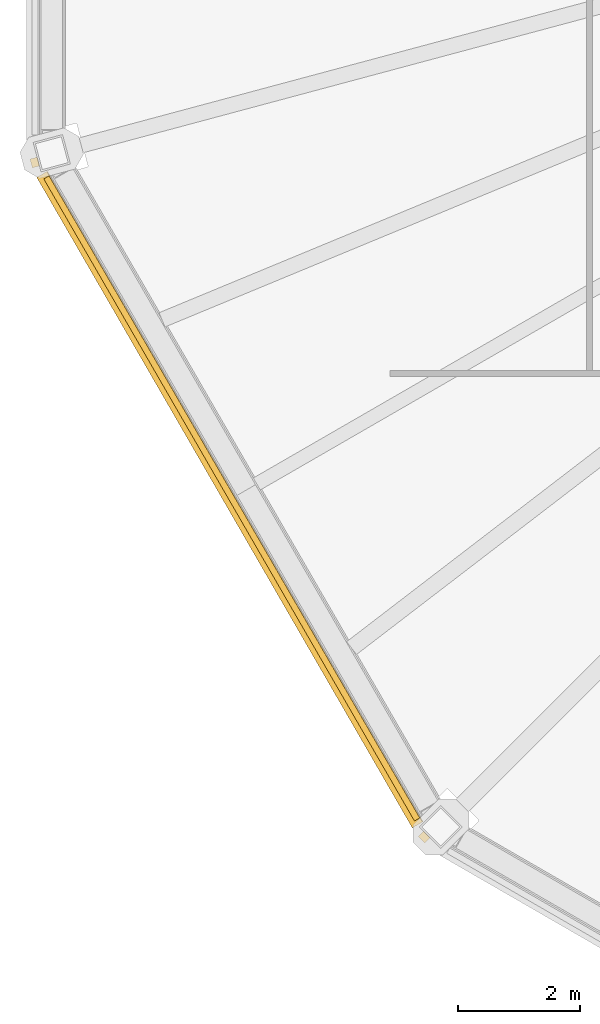
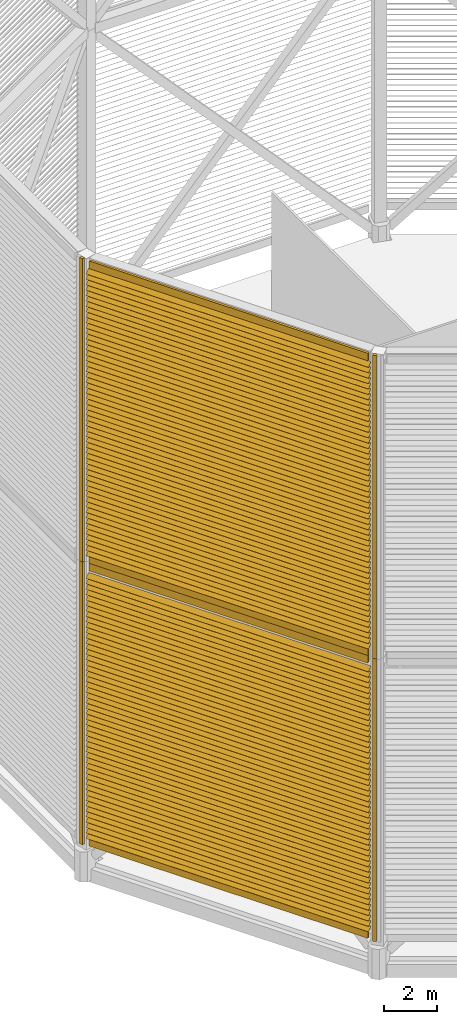
# One storey, part 8 of 18: 2 shading devices.
"""IFC4 building model written with IfcOpenShell, lengths in metres."""

from ifc_helpers import new_model, si_unit, direction, frame, origin, origin_2d, place, context, subcontext, project, spatial, rectangle, extrude, material, type_object, element, save


model = new_model("IFC4")

# Units and contexts
model_context = context("Model", 3, precision=1e-05, world=origin(), true_north=direction((0.0, 1.0)))
body_context = subcontext(model_context, "Body", "Model", "MODEL_VIEW")
ifc_project = project(units=[si_unit("LENGTHUNIT", "METRE"), si_unit("AREAUNIT", "SQUARE_METRE"), si_unit("VOLUMEUNIT", "CUBIC_METRE"), si_unit("PLANEANGLEUNIT", "RADIAN"), si_unit("MASSUNIT", "GRAM", prefix="KILO")], contexts=[model_context])

# Site, building, storey
site_placement = place(None, origin())
site = spatial("IfcSite", under=ifc_project, at=site_placement, CompositionType="ELEMENT")
building_placement = place(site_placement, origin())
building = spatial("IfcBuilding", under=site, at=building_placement, Name="Sahrelin Media Tower", CompositionType="ELEMENT")
storey_placement = place(building_placement, frame((0.0, 0.0, 335.800048828125)))
storey = spatial("IfcBuildingStorey", under=building, at=storey_placement, Name="Crown", CompositionType="ELEMENT", Elevation=335.800048828125)

# Shading devices
ifc_material = material(Name="Champagne anodised aluminium 6063-T6", Category="aluminium")
shading_device_type = type_object("IfcShadingDeviceType", Name="Crown louvre screen", PredefinedType="USERDEFINED", material=ifc_material)
shading_device_1_placement = place(storey_placement, frame((-23.830078125, -6.38525390625, 0.949951171875), z_axis=(0.0, 0.0, 1.0), x_axis=(-0.500011000363, 0.866019052629, 0.0)))
element("IfcShadingDevice", 1, at=shading_device_1_placement, inside=storey, type_object=shading_device_type, Name="Crown louvre screen CS-06A", ObjectType="LOUVRE", PredefinedType="USERDEFINED", context=body_context, shape_type="SweptSolid", body=[
    extrude(rectangle(XDim=0.10009765625, YDim=0.35009765625, at=origin_2d()), frame((-0.300048828125, 0.27490234375, 12.875), z_axis=(-1.0, 0.0, 0.0), x_axis=(0.0, -1.0, 0.0)), (0.0, 0.0, 1.0), 12.17041015625),
    extrude(rectangle(XDim=0.10009765625, YDim=0.35009765625, at=origin_2d()), frame((-0.300048828125, 0.27490234375, 0.175048828125), z_axis=(-1.0, 0.0, 0.0), x_axis=(0.0, -1.0, 0.0)), (0.0, 0.0, 1.0), 12.17041015625),
    extrude(rectangle(XDim=0.1201171875, YDim=0.14990234375, at=origin_2d()), frame((0.0078125, 0.31884765625, 0.0), z_axis=(0.0, 0.0, 1.0), x_axis=(0.258820730961, 0.965925374563, 0.0)), (0.0, 0.0, 1.0), 13.050048828125),
    extrude(rectangle(XDim=0.1201171875, YDim=0.14990234375, at=origin_2d()), frame((-12.7783203125, 0.31884765625, 0.0), z_axis=(0.0, 0.0, 1.0), x_axis=(-0.258817359244, 0.965926278012, 0.0)), (0.0, 0.0, 1.0), 13.050048828125),
    extrude(rectangle(XDim=0.25, YDim=0.02001953125, at=origin_2d()), frame((-0.219970703125, 0.31005859375, 0.449951171875), z_axis=(-1.0, 0.0, 0.0), x_axis=(0.0, -0.766044443119, 0.642787609687)), (0.0, 0.0, 1.0), 12.33056640625),
    extrude(rectangle(XDim=0.25, YDim=0.02001953125, at=origin_2d()), frame((-0.219970703125, 0.31005859375, 0.699951171875), z_axis=(-1.0, 0.0, 0.0), x_axis=(0.0, -0.766044443119, 0.642787609687)), (0.0, 0.0, 1.0), 12.33056640625),
    extrude(rectangle(XDim=0.25, YDim=0.02001953125, at=origin_2d()), frame((-0.219970703125, 0.31005859375, 0.949951171875), z_axis=(-1.0, 0.0, 0.0), x_axis=(0.0, -0.766044443119, 0.642787609687)), (0.0, 0.0, 1.0), 12.33056640625),
    extrude(rectangle(XDim=0.25, YDim=0.02001953125, at=origin_2d()), frame((-0.219970703125, 0.31005859375, 1.199951171875), z_axis=(-1.0, 0.0, 0.0), x_axis=(0.0, -0.766044443119, 0.642787609687)), (0.0, 0.0, 1.0), 12.33056640625),
    extrude(rectangle(XDim=0.25, YDim=0.02001953125, at=origin_2d()), frame((-0.219970703125, 0.31005859375, 1.449951171875), z_axis=(-1.0, 0.0, 0.0), x_axis=(0.0, -0.766044443119, 0.642787609687)), (0.0, 0.0, 1.0), 12.33056640625),
    extrude(rectangle(XDim=0.25, YDim=0.02001953125, at=origin_2d()), frame((-0.219970703125, 0.31005859375, 1.699951171875), z_axis=(-1.0, 0.0, 0.0), x_axis=(0.0, -0.766044443119, 0.642787609687)), (0.0, 0.0, 1.0), 12.33056640625),
    extrude(rectangle(XDim=0.25, YDim=0.02001953125, at=origin_2d()), frame((-0.219970703125, 0.31005859375, 1.949951171875), z_axis=(-1.0, 0.0, 0.0), x_axis=(0.0, -0.766044443119, 0.642787609687)), (0.0, 0.0, 1.0), 12.33056640625),
    extrude(rectangle(XDim=0.25, YDim=0.02001953125, at=origin_2d()), frame((-0.219970703125, 0.31005859375, 2.199951171875), z_axis=(-1.0, 0.0, 0.0), x_axis=(0.0, -0.766044443119, 0.642787609687)), (0.0, 0.0, 1.0), 12.33056640625),
    extrude(rectangle(XDim=0.25, YDim=0.02001953125, at=origin_2d()), frame((-0.219970703125, 0.31005859375, 2.449951171875), z_axis=(-1.0, 0.0, 0.0), x_axis=(0.0, -0.766044443119, 0.642787609687)), (0.0, 0.0, 1.0), 12.33056640625),
    extrude(rectangle(XDim=0.25, YDim=0.02001953125, at=origin_2d()), frame((-0.219970703125, 0.31005859375, 2.699951171875), z_axis=(-1.0, 0.0, 0.0), x_axis=(0.0, -0.766044443119, 0.642787609687)), (0.0, 0.0, 1.0), 12.33056640625),
    extrude(rectangle(XDim=0.25, YDim=0.02001953125, at=origin_2d()), frame((-0.219970703125, 0.31005859375, 2.949951171875), z_axis=(-1.0, 0.0, 0.0), x_axis=(0.0, -0.766044443119, 0.642787609687)), (0.0, 0.0, 1.0), 12.33056640625),
    extrude(rectangle(XDim=0.25, YDim=0.02001953125, at=origin_2d()), frame((-0.219970703125, 0.31005859375, 3.199951171875), z_axis=(-1.0, 0.0, 0.0), x_axis=(0.0, -0.766044443119, 0.642787609687)), (0.0, 0.0, 1.0), 12.33056640625),
    extrude(rectangle(XDim=0.25, YDim=0.02001953125, at=origin_2d()), frame((-0.219970703125, 0.31005859375, 3.449951171875), z_axis=(-1.0, 0.0, 0.0), x_axis=(0.0, -0.766044443119, 0.642787609687)), (0.0, 0.0, 1.0), 12.33056640625),
    extrude(rectangle(XDim=0.25, YDim=0.02001953125, at=origin_2d()), frame((-0.219970703125, 0.31005859375, 3.699951171875), z_axis=(-1.0, 0.0, 0.0), x_axis=(0.0, -0.766044443119, 0.642787609687)), (0.0, 0.0, 1.0), 12.33056640625),
    extrude(rectangle(XDim=0.25, YDim=0.02001953125, at=origin_2d()), frame((-0.219970703125, 0.31005859375, 3.949951171875), z_axis=(-1.0, 0.0, 0.0), x_axis=(0.0, -0.766044443119, 0.642787609687)), (0.0, 0.0, 1.0), 12.33056640625),
    extrude(rectangle(XDim=0.25, YDim=0.02001953125, at=origin_2d()), frame((-0.219970703125, 0.31005859375, 4.199951171875), z_axis=(-1.0, 0.0, 0.0), x_axis=(0.0, -0.766044443119, 0.642787609687)), (0.0, 0.0, 1.0), 12.33056640625),
    extrude(rectangle(XDim=0.25, YDim=0.02001953125, at=origin_2d()), frame((-0.219970703125, 0.31005859375, 4.449951171875), z_axis=(-1.0, 0.0, 0.0), x_axis=(0.0, -0.766044443119, 0.642787609687)), (0.0, 0.0, 1.0), 12.33056640625),
    extrude(rectangle(XDim=0.25, YDim=0.02001953125, at=origin_2d()), frame((-0.219970703125, 0.31005859375, 4.699951171875), z_axis=(-1.0, 0.0, 0.0), x_axis=(0.0, -0.766044443119, 0.642787609687)), (0.0, 0.0, 1.0), 12.33056640625),
    extrude(rectangle(XDim=0.25, YDim=0.02001953125, at=origin_2d()), frame((-0.219970703125, 0.31005859375, 4.949951171875), z_axis=(-1.0, 0.0, 0.0), x_axis=(0.0, -0.766044443119, 0.642787609687)), (0.0, 0.0, 1.0), 12.33056640625),
    extrude(rectangle(XDim=0.25, YDim=0.02001953125, at=origin_2d()), frame((-0.219970703125, 0.31005859375, 5.199951171875), z_axis=(-1.0, 0.0, 0.0), x_axis=(0.0, -0.766044443119, 0.642787609687)), (0.0, 0.0, 1.0), 12.33056640625),
    extrude(rectangle(XDim=0.25, YDim=0.02001953125, at=origin_2d()), frame((-0.219970703125, 0.31005859375, 5.449951171875), z_axis=(-1.0, 0.0, 0.0), x_axis=(0.0, -0.766044443119, 0.642787609687)), (0.0, 0.0, 1.0), 12.33056640625),
    extrude(rectangle(XDim=0.25, YDim=0.02001953125, at=origin_2d()), frame((-0.219970703125, 0.31005859375, 5.699951171875), z_axis=(-1.0, 0.0, 0.0), x_axis=(0.0, -0.766044443119, 0.642787609687)), (0.0, 0.0, 1.0), 12.33056640625),
    extrude(rectangle(XDim=0.25, YDim=0.02001953125, at=origin_2d()), frame((-0.219970703125, 0.31005859375, 5.949951171875), z_axis=(-1.0, 0.0, 0.0), x_axis=(0.0, -0.766044443119, 0.642787609687)), (0.0, 0.0, 1.0), 12.33056640625),
    extrude(rectangle(XDim=0.25, YDim=0.02001953125, at=origin_2d()), frame((-0.219970703125, 0.31005859375, 6.199951171875), z_axis=(-1.0, 0.0, 0.0), x_axis=(0.0, -0.766044443119, 0.642787609687)), (0.0, 0.0, 1.0), 12.33056640625),
    extrude(rectangle(XDim=0.25, YDim=0.02001953125, at=origin_2d()), frame((-0.219970703125, 0.31005859375, 6.449951171875), z_axis=(-1.0, 0.0, 0.0), x_axis=(0.0, -0.766044443119, 0.642787609687)), (0.0, 0.0, 1.0), 12.33056640625),
    extrude(rectangle(XDim=0.25, YDim=0.02001953125, at=origin_2d()), frame((-0.219970703125, 0.31005859375, 6.699951171875), z_axis=(-1.0, 0.0, 0.0), x_axis=(0.0, -0.766044443119, 0.642787609687)), (0.0, 0.0, 1.0), 12.33056640625),
    extrude(rectangle(XDim=0.25, YDim=0.02001953125, at=origin_2d()), frame((-0.219970703125, 0.31005859375, 6.949951171875), z_axis=(-1.0, 0.0, 0.0), x_axis=(0.0, -0.766044443119, 0.642787609687)), (0.0, 0.0, 1.0), 12.33056640625),
    extrude(rectangle(XDim=0.25, YDim=0.02001953125, at=origin_2d()), frame((-0.219970703125, 0.31005859375, 7.199951171875), z_axis=(-1.0, 0.0, 0.0), x_axis=(0.0, -0.766044443119, 0.642787609687)), (0.0, 0.0, 1.0), 12.33056640625),
    extrude(rectangle(XDim=0.25, YDim=0.02001953125, at=origin_2d()), frame((-0.219970703125, 0.31005859375, 7.449951171875), z_axis=(-1.0, 0.0, 0.0), x_axis=(0.0, -0.766044443119, 0.642787609687)), (0.0, 0.0, 1.0), 12.33056640625),
    extrude(rectangle(XDim=0.25, YDim=0.02001953125, at=origin_2d()), frame((-0.219970703125, 0.31005859375, 7.699951171875), z_axis=(-1.0, 0.0, 0.0), x_axis=(0.0, -0.766044443119, 0.642787609687)), (0.0, 0.0, 1.0), 12.33056640625),
    extrude(rectangle(XDim=0.25, YDim=0.02001953125, at=origin_2d()), frame((-0.219970703125, 0.31005859375, 7.949951171875), z_axis=(-1.0, 0.0, 0.0), x_axis=(0.0, -0.766044443119, 0.642787609687)), (0.0, 0.0, 1.0), 12.33056640625),
    extrude(rectangle(XDim=0.25, YDim=0.02001953125, at=origin_2d()), frame((-0.219970703125, 0.31005859375, 8.199951171875), z_axis=(-1.0, 0.0, 0.0), x_axis=(0.0, -0.766044443119, 0.642787609687)), (0.0, 0.0, 1.0), 12.33056640625),
    extrude(rectangle(XDim=0.25, YDim=0.02001953125, at=origin_2d()), frame((-0.219970703125, 0.31005859375, 8.449951171875), z_axis=(-1.0, 0.0, 0.0), x_axis=(0.0, -0.766044443119, 0.642787609687)), (0.0, 0.0, 1.0), 12.33056640625),
    extrude(rectangle(XDim=0.25, YDim=0.02001953125, at=origin_2d()), frame((-0.219970703125, 0.31005859375, 8.699951171875), z_axis=(-1.0, 0.0, 0.0), x_axis=(0.0, -0.766044443119, 0.642787609687)), (0.0, 0.0, 1.0), 12.33056640625),
    extrude(rectangle(XDim=0.25, YDim=0.02001953125, at=origin_2d()), frame((-0.219970703125, 0.31005859375, 8.949951171875), z_axis=(-1.0, 0.0, 0.0), x_axis=(0.0, -0.766044443119, 0.642787609687)), (0.0, 0.0, 1.0), 12.33056640625),
    extrude(rectangle(XDim=0.25, YDim=0.02001953125, at=origin_2d()), frame((-0.219970703125, 0.31005859375, 9.199951171875), z_axis=(-1.0, 0.0, 0.0), x_axis=(0.0, -0.766044443119, 0.642787609687)), (0.0, 0.0, 1.0), 12.33056640625),
    extrude(rectangle(XDim=0.25, YDim=0.02001953125, at=origin_2d()), frame((-0.219970703125, 0.31005859375, 9.449951171875), z_axis=(-1.0, 0.0, 0.0), x_axis=(0.0, -0.766044443119, 0.642787609687)), (0.0, 0.0, 1.0), 12.33056640625),
    extrude(rectangle(XDim=0.25, YDim=0.02001953125, at=origin_2d()), frame((-0.219970703125, 0.31005859375, 9.699951171875), z_axis=(-1.0, 0.0, 0.0), x_axis=(0.0, -0.766044443119, 0.642787609687)), (0.0, 0.0, 1.0), 12.33056640625),
    extrude(rectangle(XDim=0.25, YDim=0.02001953125, at=origin_2d()), frame((-0.219970703125, 0.31005859375, 9.949951171875), z_axis=(-1.0, 0.0, 0.0), x_axis=(0.0, -0.766044443119, 0.642787609687)), (0.0, 0.0, 1.0), 12.33056640625),
    extrude(rectangle(XDim=0.25, YDim=0.02001953125, at=origin_2d()), frame((-0.219970703125, 0.31005859375, 10.199951171875), z_axis=(-1.0, 0.0, 0.0), x_axis=(0.0, -0.766044443119, 0.642787609687)), (0.0, 0.0, 1.0), 12.33056640625),
    extrude(rectangle(XDim=0.25, YDim=0.02001953125, at=origin_2d()), frame((-0.219970703125, 0.31005859375, 10.449951171875), z_axis=(-1.0, 0.0, 0.0), x_axis=(0.0, -0.766044443119, 0.642787609687)), (0.0, 0.0, 1.0), 12.33056640625),
    extrude(rectangle(XDim=0.25, YDim=0.02001953125, at=origin_2d()), frame((-0.219970703125, 0.31005859375, 10.699951171875), z_axis=(-1.0, 0.0, 0.0), x_axis=(0.0, -0.766044443119, 0.642787609687)), (0.0, 0.0, 1.0), 12.33056640625),
    extrude(rectangle(XDim=0.25, YDim=0.02001953125, at=origin_2d()), frame((-0.219970703125, 0.31005859375, 10.949951171875), z_axis=(-1.0, 0.0, 0.0), x_axis=(0.0, -0.766044443119, 0.642787609687)), (0.0, 0.0, 1.0), 12.33056640625),
    extrude(rectangle(XDim=0.25, YDim=0.02001953125, at=origin_2d()), frame((-0.219970703125, 0.31005859375, 11.199951171875), z_axis=(-1.0, 0.0, 0.0), x_axis=(0.0, -0.766044443119, 0.642787609687)), (0.0, 0.0, 1.0), 12.33056640625),
    extrude(rectangle(XDim=0.25, YDim=0.02001953125, at=origin_2d()), frame((-0.219970703125, 0.31005859375, 11.449951171875), z_axis=(-1.0, 0.0, 0.0), x_axis=(0.0, -0.766044443119, 0.642787609687)), (0.0, 0.0, 1.0), 12.33056640625),
    extrude(rectangle(XDim=0.25, YDim=0.02001953125, at=origin_2d()), frame((-0.219970703125, 0.31005859375, 11.699951171875), z_axis=(-1.0, 0.0, 0.0), x_axis=(0.0, -0.766044443119, 0.642787609687)), (0.0, 0.0, 1.0), 12.33056640625),
    extrude(rectangle(XDim=0.25, YDim=0.02001953125, at=origin_2d()), frame((-0.219970703125, 0.31005859375, 11.949951171875), z_axis=(-1.0, 0.0, 0.0), x_axis=(0.0, -0.766044443119, 0.642787609687)), (0.0, 0.0, 1.0), 12.33056640625),
    extrude(rectangle(XDim=0.25, YDim=0.02001953125, at=origin_2d()), frame((-0.219970703125, 0.31005859375, 12.199951171875), z_axis=(-1.0, 0.0, 0.0), x_axis=(0.0, -0.766044443119, 0.642787609687)), (0.0, 0.0, 1.0), 12.33056640625),
    extrude(rectangle(XDim=0.25, YDim=0.02001953125, at=origin_2d()), frame((-0.219970703125, 0.31005859375, 12.449951171875), z_axis=(-1.0, 0.0, 0.0), x_axis=(0.0, -0.766044443119, 0.642787609687)), (0.0, 0.0, 1.0), 12.33056640625),
])
shading_device_2_placement = place(storey_placement, frame((-23.830078125, -6.38525390625, 14.0), z_axis=(0.0, 0.0, 1.0), x_axis=(-0.500011000363, 0.866019052629, 0.0)))
element("IfcShadingDevice", 2, at=shading_device_2_placement, inside=storey, type_object=shading_device_type, Name="Crown louvre screen CS-06B", ObjectType="LOUVRE", PredefinedType="USERDEFINED", context=body_context, shape_type="SweptSolid", body=[
    extrude(rectangle(XDim=0.10009765625, YDim=0.35009765625, at=origin_2d()), frame((-0.300048828125, 0.27490234375, 13.77490234375), z_axis=(-1.0, 0.0, 0.0), x_axis=(0.0, -1.0, 0.0)), (0.0, 0.0, 1.0), 12.17041015625),
    extrude(rectangle(XDim=0.10009765625, YDim=0.35009765625, at=origin_2d()), frame((-0.300048828125, 0.27490234375, 0.175048828125), z_axis=(-1.0, 0.0, 0.0), x_axis=(0.0, -1.0, 0.0)), (0.0, 0.0, 1.0), 12.17041015625),
    extrude(rectangle(XDim=0.1201171875, YDim=0.14990234375, at=origin_2d()), frame((0.0078125, 0.31884765625, 0.0), z_axis=(0.0, 0.0, 1.0), x_axis=(0.258820730961, 0.965925374563, 0.0)), (0.0, 0.0, 1.0), 14.0),
    extrude(rectangle(XDim=0.1201171875, YDim=0.14990234375, at=origin_2d()), frame((-12.7783203125, 0.31884765625, 0.0), z_axis=(0.0, 0.0, 1.0), x_axis=(-0.258817359244, 0.965926278012, 0.0)), (0.0, 0.0, 1.0), 14.0),
    extrude(rectangle(XDim=0.25, YDim=0.02001953125, at=origin_2d()), frame((-0.219970703125, 0.31005859375, 0.449951171875), z_axis=(-1.0, 0.0, 0.0), x_axis=(0.0, -0.766044443119, 0.642787609687)), (0.0, 0.0, 1.0), 12.33056640625),
    extrude(rectangle(XDim=0.25, YDim=0.02001953125, at=origin_2d()), frame((-0.219970703125, 0.31005859375, 0.699951171875), z_axis=(-1.0, 0.0, 0.0), x_axis=(0.0, -0.766044443119, 0.642787609687)), (0.0, 0.0, 1.0), 12.33056640625),
    extrude(rectangle(XDim=0.25, YDim=0.02001953125, at=origin_2d()), frame((-0.219970703125, 0.31005859375, 0.949951171875), z_axis=(-1.0, 0.0, 0.0), x_axis=(0.0, -0.766044443119, 0.642787609687)), (0.0, 0.0, 1.0), 12.33056640625),
    extrude(rectangle(XDim=0.25, YDim=0.02001953125, at=origin_2d()), frame((-0.219970703125, 0.31005859375, 1.199951171875), z_axis=(-1.0, 0.0, 0.0), x_axis=(0.0, -0.766044443119, 0.642787609687)), (0.0, 0.0, 1.0), 12.33056640625),
    extrude(rectangle(XDim=0.25, YDim=0.02001953125, at=origin_2d()), frame((-0.219970703125, 0.31005859375, 1.449951171875), z_axis=(-1.0, 0.0, 0.0), x_axis=(0.0, -0.766044443119, 0.642787609687)), (0.0, 0.0, 1.0), 12.33056640625),
    extrude(rectangle(XDim=0.25, YDim=0.02001953125, at=origin_2d()), frame((-0.219970703125, 0.31005859375, 1.699951171875), z_axis=(-1.0, 0.0, 0.0), x_axis=(0.0, -0.766044443119, 0.642787609687)), (0.0, 0.0, 1.0), 12.33056640625),
    extrude(rectangle(XDim=0.25, YDim=0.02001953125, at=origin_2d()), frame((-0.219970703125, 0.31005859375, 1.949951171875), z_axis=(-1.0, 0.0, 0.0), x_axis=(0.0, -0.766044443119, 0.642787609687)), (0.0, 0.0, 1.0), 12.33056640625),
    extrude(rectangle(XDim=0.25, YDim=0.02001953125, at=origin_2d()), frame((-0.219970703125, 0.31005859375, 2.199951171875), z_axis=(-1.0, 0.0, 0.0), x_axis=(0.0, -0.766044443119, 0.642787609687)), (0.0, 0.0, 1.0), 12.33056640625),
    extrude(rectangle(XDim=0.25, YDim=0.02001953125, at=origin_2d()), frame((-0.219970703125, 0.31005859375, 2.449951171875), z_axis=(-1.0, 0.0, 0.0), x_axis=(0.0, -0.766044443119, 0.642787609687)), (0.0, 0.0, 1.0), 12.33056640625),
    extrude(rectangle(XDim=0.25, YDim=0.02001953125, at=origin_2d()), frame((-0.219970703125, 0.31005859375, 2.699951171875), z_axis=(-1.0, 0.0, 0.0), x_axis=(0.0, -0.766044443119, 0.642787609687)), (0.0, 0.0, 1.0), 12.33056640625),
    extrude(rectangle(XDim=0.25, YDim=0.02001953125, at=origin_2d()), frame((-0.219970703125, 0.31005859375, 2.949951171875), z_axis=(-1.0, 0.0, 0.0), x_axis=(0.0, -0.766044443119, 0.642787609687)), (0.0, 0.0, 1.0), 12.33056640625),
    extrude(rectangle(XDim=0.25, YDim=0.02001953125, at=origin_2d()), frame((-0.219970703125, 0.31005859375, 3.199951171875), z_axis=(-1.0, 0.0, 0.0), x_axis=(0.0, -0.766044443119, 0.642787609687)), (0.0, 0.0, 1.0), 12.33056640625),
    extrude(rectangle(XDim=0.25, YDim=0.02001953125, at=origin_2d()), frame((-0.219970703125, 0.31005859375, 3.449951171875), z_axis=(-1.0, 0.0, 0.0), x_axis=(0.0, -0.766044443119, 0.642787609687)), (0.0, 0.0, 1.0), 12.33056640625),
    extrude(rectangle(XDim=0.25, YDim=0.02001953125, at=origin_2d()), frame((-0.219970703125, 0.31005859375, 3.699951171875), z_axis=(-1.0, 0.0, 0.0), x_axis=(0.0, -0.766044443119, 0.642787609687)), (0.0, 0.0, 1.0), 12.33056640625),
    extrude(rectangle(XDim=0.25, YDim=0.02001953125, at=origin_2d()), frame((-0.219970703125, 0.31005859375, 3.949951171875), z_axis=(-1.0, 0.0, 0.0), x_axis=(0.0, -0.766044443119, 0.642787609687)), (0.0, 0.0, 1.0), 12.33056640625),
    extrude(rectangle(XDim=0.25, YDim=0.02001953125, at=origin_2d()), frame((-0.219970703125, 0.31005859375, 4.199951171875), z_axis=(-1.0, 0.0, 0.0), x_axis=(0.0, -0.766044443119, 0.642787609687)), (0.0, 0.0, 1.0), 12.33056640625),
    extrude(rectangle(XDim=0.25, YDim=0.02001953125, at=origin_2d()), frame((-0.219970703125, 0.31005859375, 4.449951171875), z_axis=(-1.0, 0.0, 0.0), x_axis=(0.0, -0.766044443119, 0.642787609687)), (0.0, 0.0, 1.0), 12.33056640625),
    extrude(rectangle(XDim=0.25, YDim=0.02001953125, at=origin_2d()), frame((-0.219970703125, 0.31005859375, 4.699951171875), z_axis=(-1.0, 0.0, 0.0), x_axis=(0.0, -0.766044443119, 0.642787609687)), (0.0, 0.0, 1.0), 12.33056640625),
    extrude(rectangle(XDim=0.25, YDim=0.02001953125, at=origin_2d()), frame((-0.219970703125, 0.31005859375, 4.949951171875), z_axis=(-1.0, 0.0, 0.0), x_axis=(0.0, -0.766044443119, 0.642787609687)), (0.0, 0.0, 1.0), 12.33056640625),
    extrude(rectangle(XDim=0.25, YDim=0.02001953125, at=origin_2d()), frame((-0.219970703125, 0.31005859375, 5.199951171875), z_axis=(-1.0, 0.0, 0.0), x_axis=(0.0, -0.766044443119, 0.642787609687)), (0.0, 0.0, 1.0), 12.33056640625),
    extrude(rectangle(XDim=0.25, YDim=0.02001953125, at=origin_2d()), frame((-0.219970703125, 0.31005859375, 5.449951171875), z_axis=(-1.0, 0.0, 0.0), x_axis=(0.0, -0.766044443119, 0.642787609687)), (0.0, 0.0, 1.0), 12.33056640625),
    extrude(rectangle(XDim=0.25, YDim=0.02001953125, at=origin_2d()), frame((-0.219970703125, 0.31005859375, 5.699951171875), z_axis=(-1.0, 0.0, 0.0), x_axis=(0.0, -0.766044443119, 0.642787609687)), (0.0, 0.0, 1.0), 12.33056640625),
    extrude(rectangle(XDim=0.25, YDim=0.02001953125, at=origin_2d()), frame((-0.219970703125, 0.31005859375, 5.949951171875), z_axis=(-1.0, 0.0, 0.0), x_axis=(0.0, -0.766044443119, 0.642787609687)), (0.0, 0.0, 1.0), 12.33056640625),
    extrude(rectangle(XDim=0.25, YDim=0.02001953125, at=origin_2d()), frame((-0.219970703125, 0.31005859375, 6.199951171875), z_axis=(-1.0, 0.0, 0.0), x_axis=(0.0, -0.766044443119, 0.642787609687)), (0.0, 0.0, 1.0), 12.33056640625),
    extrude(rectangle(XDim=0.25, YDim=0.02001953125, at=origin_2d()), frame((-0.219970703125, 0.31005859375, 6.449951171875), z_axis=(-1.0, 0.0, 0.0), x_axis=(0.0, -0.766044443119, 0.642787609687)), (0.0, 0.0, 1.0), 12.33056640625),
    extrude(rectangle(XDim=0.25, YDim=0.02001953125, at=origin_2d()), frame((-0.219970703125, 0.31005859375, 6.699951171875), z_axis=(-1.0, 0.0, 0.0), x_axis=(0.0, -0.766044443119, 0.642787609687)), (0.0, 0.0, 1.0), 12.33056640625),
    extrude(rectangle(XDim=0.25, YDim=0.02001953125, at=origin_2d()), frame((-0.219970703125, 0.31005859375, 6.949951171875), z_axis=(-1.0, 0.0, 0.0), x_axis=(0.0, -0.766044443119, 0.642787609687)), (0.0, 0.0, 1.0), 12.33056640625),
    extrude(rectangle(XDim=0.25, YDim=0.02001953125, at=origin_2d()), frame((-0.219970703125, 0.31005859375, 7.199951171875), z_axis=(-1.0, 0.0, 0.0), x_axis=(0.0, -0.766044443119, 0.642787609687)), (0.0, 0.0, 1.0), 12.33056640625),
    extrude(rectangle(XDim=0.25, YDim=0.02001953125, at=origin_2d()), frame((-0.219970703125, 0.31005859375, 7.449951171875), z_axis=(-1.0, 0.0, 0.0), x_axis=(0.0, -0.766044443119, 0.642787609687)), (0.0, 0.0, 1.0), 12.33056640625),
    extrude(rectangle(XDim=0.25, YDim=0.02001953125, at=origin_2d()), frame((-0.219970703125, 0.31005859375, 7.699951171875), z_axis=(-1.0, 0.0, 0.0), x_axis=(0.0, -0.766044443119, 0.642787609687)), (0.0, 0.0, 1.0), 12.33056640625),
    extrude(rectangle(XDim=0.25, YDim=0.02001953125, at=origin_2d()), frame((-0.219970703125, 0.31005859375, 7.949951171875), z_axis=(-1.0, 0.0, 0.0), x_axis=(0.0, -0.766044443119, 0.642787609687)), (0.0, 0.0, 1.0), 12.33056640625),
    extrude(rectangle(XDim=0.25, YDim=0.02001953125, at=origin_2d()), frame((-0.219970703125, 0.31005859375, 8.199951171875), z_axis=(-1.0, 0.0, 0.0), x_axis=(0.0, -0.766044443119, 0.642787609687)), (0.0, 0.0, 1.0), 12.33056640625),
    extrude(rectangle(XDim=0.25, YDim=0.02001953125, at=origin_2d()), frame((-0.219970703125, 0.31005859375, 8.449951171875), z_axis=(-1.0, 0.0, 0.0), x_axis=(0.0, -0.766044443119, 0.642787609687)), (0.0, 0.0, 1.0), 12.33056640625),
    extrude(rectangle(XDim=0.25, YDim=0.02001953125, at=origin_2d()), frame((-0.219970703125, 0.31005859375, 8.699951171875), z_axis=(-1.0, 0.0, 0.0), x_axis=(0.0, -0.766044443119, 0.642787609687)), (0.0, 0.0, 1.0), 12.33056640625),
    extrude(rectangle(XDim=0.25, YDim=0.02001953125, at=origin_2d()), frame((-0.219970703125, 0.31005859375, 8.949951171875), z_axis=(-1.0, 0.0, 0.0), x_axis=(0.0, -0.766044443119, 0.642787609687)), (0.0, 0.0, 1.0), 12.33056640625),
    extrude(rectangle(XDim=0.25, YDim=0.02001953125, at=origin_2d()), frame((-0.219970703125, 0.31005859375, 9.199951171875), z_axis=(-1.0, 0.0, 0.0), x_axis=(0.0, -0.766044443119, 0.642787609687)), (0.0, 0.0, 1.0), 12.33056640625),
    extrude(rectangle(XDim=0.25, YDim=0.02001953125, at=origin_2d()), frame((-0.219970703125, 0.31005859375, 9.449951171875), z_axis=(-1.0, 0.0, 0.0), x_axis=(0.0, -0.766044443119, 0.642787609687)), (0.0, 0.0, 1.0), 12.33056640625),
    extrude(rectangle(XDim=0.25, YDim=0.02001953125, at=origin_2d()), frame((-0.219970703125, 0.31005859375, 9.699951171875), z_axis=(-1.0, 0.0, 0.0), x_axis=(0.0, -0.766044443119, 0.642787609687)), (0.0, 0.0, 1.0), 12.33056640625),
    extrude(rectangle(XDim=0.25, YDim=0.02001953125, at=origin_2d()), frame((-0.219970703125, 0.31005859375, 9.949951171875), z_axis=(-1.0, 0.0, 0.0), x_axis=(0.0, -0.766044443119, 0.642787609687)), (0.0, 0.0, 1.0), 12.33056640625),
    extrude(rectangle(XDim=0.25, YDim=0.02001953125, at=origin_2d()), frame((-0.219970703125, 0.31005859375, 10.199951171875), z_axis=(-1.0, 0.0, 0.0), x_axis=(0.0, -0.766044443119, 0.642787609687)), (0.0, 0.0, 1.0), 12.33056640625),
    extrude(rectangle(XDim=0.25, YDim=0.02001953125, at=origin_2d()), frame((-0.219970703125, 0.31005859375, 10.449951171875), z_axis=(-1.0, 0.0, 0.0), x_axis=(0.0, -0.766044443119, 0.642787609687)), (0.0, 0.0, 1.0), 12.33056640625),
    extrude(rectangle(XDim=0.25, YDim=0.02001953125, at=origin_2d()), frame((-0.219970703125, 0.31005859375, 10.699951171875), z_axis=(-1.0, 0.0, 0.0), x_axis=(0.0, -0.766044443119, 0.642787609687)), (0.0, 0.0, 1.0), 12.33056640625),
    extrude(rectangle(XDim=0.25, YDim=0.02001953125, at=origin_2d()), frame((-0.219970703125, 0.31005859375, 10.949951171875), z_axis=(-1.0, 0.0, 0.0), x_axis=(0.0, -0.766044443119, 0.642787609687)), (0.0, 0.0, 1.0), 12.33056640625),
    extrude(rectangle(XDim=0.25, YDim=0.02001953125, at=origin_2d()), frame((-0.219970703125, 0.31005859375, 11.199951171875), z_axis=(-1.0, 0.0, 0.0), x_axis=(0.0, -0.766044443119, 0.642787609687)), (0.0, 0.0, 1.0), 12.33056640625),
    extrude(rectangle(XDim=0.25, YDim=0.02001953125, at=origin_2d()), frame((-0.219970703125, 0.31005859375, 11.449951171875), z_axis=(-1.0, 0.0, 0.0), x_axis=(0.0, -0.766044443119, 0.642787609687)), (0.0, 0.0, 1.0), 12.33056640625),
    extrude(rectangle(XDim=0.25, YDim=0.02001953125, at=origin_2d()), frame((-0.219970703125, 0.31005859375, 11.699951171875), z_axis=(-1.0, 0.0, 0.0), x_axis=(0.0, -0.766044443119, 0.642787609687)), (0.0, 0.0, 1.0), 12.33056640625),
    extrude(rectangle(XDim=0.25, YDim=0.02001953125, at=origin_2d()), frame((-0.219970703125, 0.31005859375, 11.949951171875), z_axis=(-1.0, 0.0, 0.0), x_axis=(0.0, -0.766044443119, 0.642787609687)), (0.0, 0.0, 1.0), 12.33056640625),
    extrude(rectangle(XDim=0.25, YDim=0.02001953125, at=origin_2d()), frame((-0.219970703125, 0.31005859375, 12.199951171875), z_axis=(-1.0, 0.0, 0.0), x_axis=(0.0, -0.766044443119, 0.642787609687)), (0.0, 0.0, 1.0), 12.33056640625),
    extrude(rectangle(XDim=0.25, YDim=0.02001953125, at=origin_2d()), frame((-0.219970703125, 0.31005859375, 12.449951171875), z_axis=(-1.0, 0.0, 0.0), x_axis=(0.0, -0.766044443119, 0.642787609687)), (0.0, 0.0, 1.0), 12.33056640625),
    extrude(rectangle(XDim=0.25, YDim=0.02001953125, at=origin_2d()), frame((-0.219970703125, 0.31005859375, 12.699951171875), z_axis=(-1.0, 0.0, 0.0), x_axis=(0.0, -0.766044443119, 0.642787609687)), (0.0, 0.0, 1.0), 12.33056640625),
    extrude(rectangle(XDim=0.25, YDim=0.02001953125, at=origin_2d()), frame((-0.219970703125, 0.31005859375, 12.949951171875), z_axis=(-1.0, 0.0, 0.0), x_axis=(0.0, -0.766044443119, 0.642787609687)), (0.0, 0.0, 1.0), 12.33056640625),
    extrude(rectangle(XDim=0.25, YDim=0.02001953125, at=origin_2d()), frame((-0.219970703125, 0.31005859375, 13.199951171875), z_axis=(-1.0, 0.0, 0.0), x_axis=(0.0, -0.766044443119, 0.642787609687)), (0.0, 0.0, 1.0), 12.33056640625),
    extrude(rectangle(XDim=0.25, YDim=0.02001953125, at=origin_2d()), frame((-0.219970703125, 0.31005859375, 13.449951171875), z_axis=(-1.0, 0.0, 0.0), x_axis=(0.0, -0.766044443119, 0.642787609687)), (0.0, 0.0, 1.0), 12.33056640625),
])

save(model, "model.ifc")
